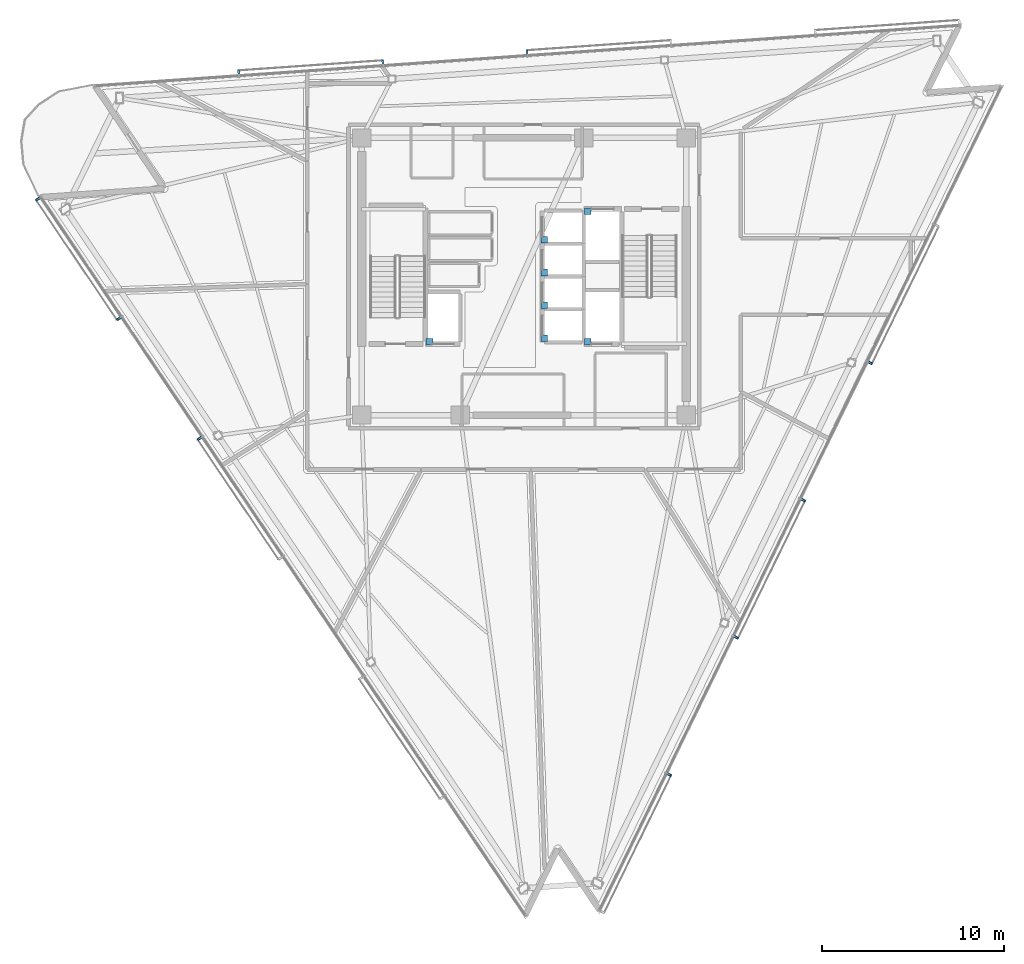
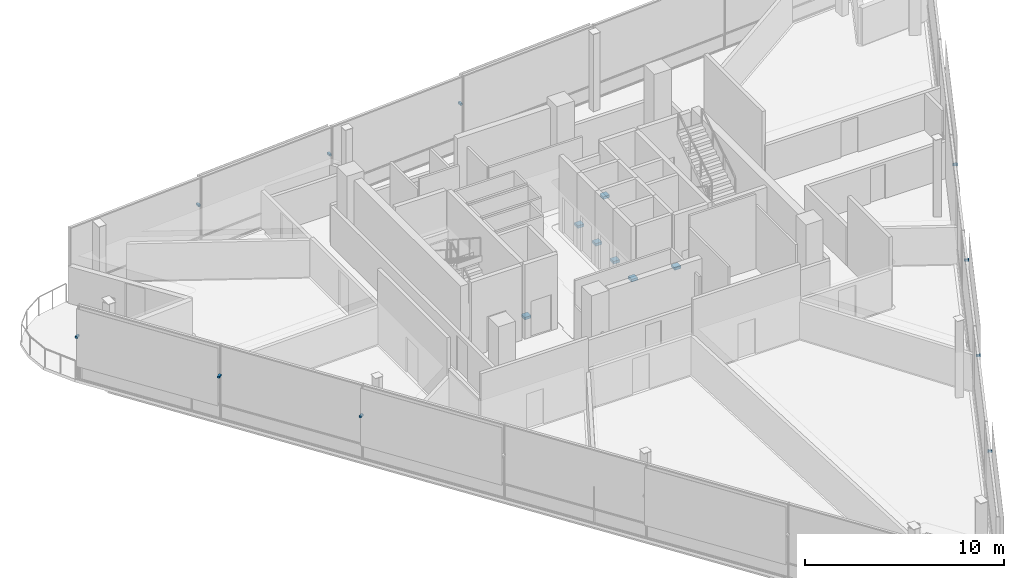
# One storey, part 12 of 16: 17 discrete accessories.
"""IFC4 building model written with IfcOpenShell, lengths in metres."""

from ifc_helpers import new_model, si_unit, direction, frame, origin, origin_2d, place, context, subcontext, project, spatial, rectangle, extrude, material, type_object, element, save


model = new_model("IFC4")

# Units and contexts
model_context = context("Model", 3, precision=1e-05, world=origin(), true_north=direction((0.0, 1.0)))
body_context = subcontext(model_context, "Body", "Model", "MODEL_VIEW")
ifc_project = project(units=[si_unit("LENGTHUNIT", "METRE"), si_unit("AREAUNIT", "SQUARE_METRE"), si_unit("VOLUMEUNIT", "CUBIC_METRE"), si_unit("PLANEANGLEUNIT", "RADIAN"), si_unit("MASSUNIT", "GRAM", prefix="KILO")], contexts=[model_context])

# Site, building, storey
site_placement = place(None, origin())
site = spatial("IfcSite", under=ifc_project, at=site_placement, CompositionType="ELEMENT")
building_placement = place(site_placement, origin())
building = spatial("IfcBuilding", under=site, at=building_placement, Name="Tharavind Bronze Gate", CompositionType="ELEMENT")
storey_placement = place(building_placement, frame((0.0, 0.0, 275.0)))
storey = spatial("IfcBuildingStorey", under=building, at=storey_placement, Name="L71", CompositionType="ELEMENT", Elevation=275.0)

# Discrete accessories
ifc_material_1 = material(Name="Galvanised Steel S355", Category="steel")
discrete_accessory_type_1 = type_object("IfcDiscreteAccessoryType", Name="LIFT GUIDE RAIL BRACKET", PredefinedType="BRACKET", material=ifc_material_1)
for number, where, z_axis, x_axis, name in (
    (1, (1.1201171875, -3.3798828125, 1.1201171875), (0.0, 0.0, 1.0), (1.0, 0.0, 0.0), "Lift PL9 guide rail bracket at L71"),
    (2, (1.1201171875, -1.580078125, 1.1201171875), (0.0, 0.0, 1.0), (1.0, 0.0, 0.0), "Lift PL10 guide rail bracket at L71"),
    (3, (1.1201171875, 0.219970703125, 1.1201171875), (0.0, 0.0, 1.0), (1.0, 0.0, 0.0), "Lift PL11 guide rail bracket at L71"),
    (4, (1.1201171875, 2.02001953125, 1.1201171875), (0.0, 0.0, 1.0), (1.0, 0.0, 0.0), "Lift PL12 guide rail bracket at L71"),
    (5, (-5.179931640625, -3.580078125, 1.1201171875), (0.0, 0.0, 1.0), (1.0, 0.0, 0.0), "Lift FFL1 guide rail bracket at L71"),
    (6, (3.5, 3.580078125, 1.1201171875), (0.0, 0.0, 1.0), (1.0, 0.0, 0.0), "Lift FFL2 guide rail bracket at L71"),
    (7, (3.5, -3.580078125, 1.1201171875), (0.0, 0.0, 1.0), (1.0, 0.0, 0.0), "Lift SVL1 guide rail bracket at L71"),
):
    element("IfcDiscreteAccessory", number, at=place(storey_placement, frame(where, z_axis=z_axis, x_axis=x_axis)), inside=storey, type_object=discrete_accessory_type_1, Name=name, PredefinedType="BRACKET", context=body_context, shape_type="SweptSolid", body=[
        extrude(rectangle(XDim=0.360107421875, YDim=0.360107421875, at=origin_2d()), origin(), (0.0, 0.0, 1.0), 0.159912109375),
    ])
ifc_material_2 = material(Name="Stainless Steel 316", Category="steel")
discrete_accessory_type_2 = type_object("IfcDiscreteAccessoryType", Name="SOLAR SCREEN STANDOFF BRACKET", PredefinedType="BRACKET", material=ifc_material_2)
for number, where, z_axis, x_axis, name in (
    (8, (-26.647216796875, 4.25146484375, 2.669921875), (0.0, 0.0, 1.0), (0.559191456526, -0.82903854853, 0.0), "CW-L71-S1 solar screen bracket 1.1"),
    (9, (-22.21826171875, -2.314697265625, 2.669921875), (0.0, 0.0, 1.0), (0.559191456526, -0.82903854853, 0.0), "CW-L71-S1 solar screen bracket 1.2"),
    (10, (-17.789306640625, -8.881103515625, 2.669921875), (0.0, 0.0, 1.0), (0.559191456526, -0.82903854853, 0.0), "CW-L71-S1 solar screen bracket 3.1"),
    (11, (7.966064453125, -27.3154296875, 2.669921875), (0.0, 0.0, 1.0), (0.43837271548, 0.898793281196, 0.0), "CW-L71-S2 solar screen bracket 1.2"),
    (12, (11.63623046875, -19.79052734375, 2.669921875), (0.0, 0.0, 1.0), (0.43837271548, 0.898793281196, 0.0), "CW-L71-S2 solar screen bracket 3.1"),
    (13, (15.306396484375, -12.265380859375, 2.669921875), (0.0, 0.0, 1.0), (0.43837271548, 0.898793281196, 0.0), "CW-L71-S2 solar screen bracket 3.2"),
    (14, (18.9765625, -4.740478515625, 2.669921875), (0.0, 0.0, 1.0), (0.43837271548, 0.898793281196, 0.0), "CW-L71-S2 solar screen bracket 5.1"),
    (15, (0.164794921875, 12.283203125, 2.669921875), (0.0, 0.0, 1.0), (-0.997563806758, -0.069759955899, 0.0), "CW-L71-S3 solar screen bracket 3.2"),
    (16, (-7.736328125, 11.730712890625, 2.669921875), (0.0, 0.0, 1.0), (-0.997563806758, -0.069759955899, 0.0), "CW-L71-S3 solar screen bracket 5.1"),
    (17, (-15.63720703125, 11.177978515625, 2.669921875), (0.0, 0.0, 1.0), (-0.997563806758, -0.069759955899, 0.0), "CW-L71-S3 solar screen bracket 5.2"),
):
    element("IfcDiscreteAccessory", number, at=place(storey_placement, frame(where, z_axis=z_axis, x_axis=x_axis)), inside=storey, type_object=discrete_accessory_type_2, Name=name, PredefinedType="BRACKET", context=body_context, shape_type="SweptSolid", body=[
        extrude(rectangle(XDim=0.1201171875, YDim=0.239990234375, at=origin_2d()), origin(), (0.0, 0.0, 1.0), 0.1201171875),
    ])

save(model, "model.ifc")
